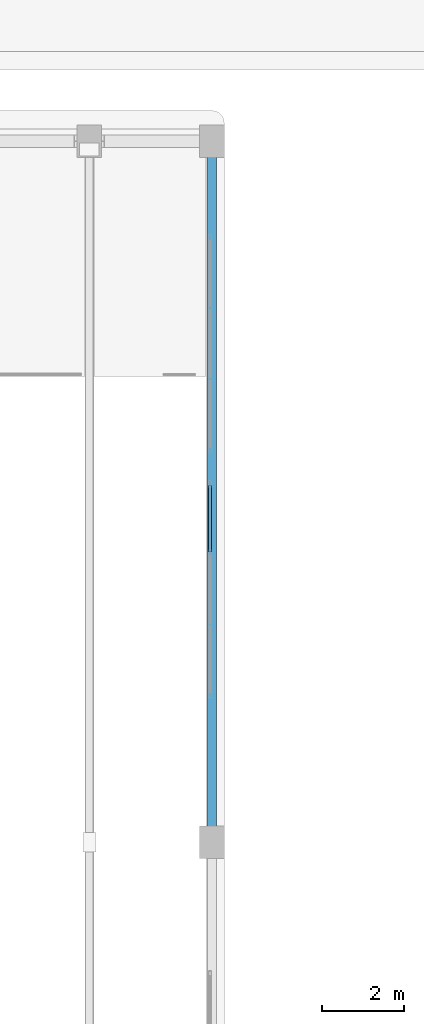
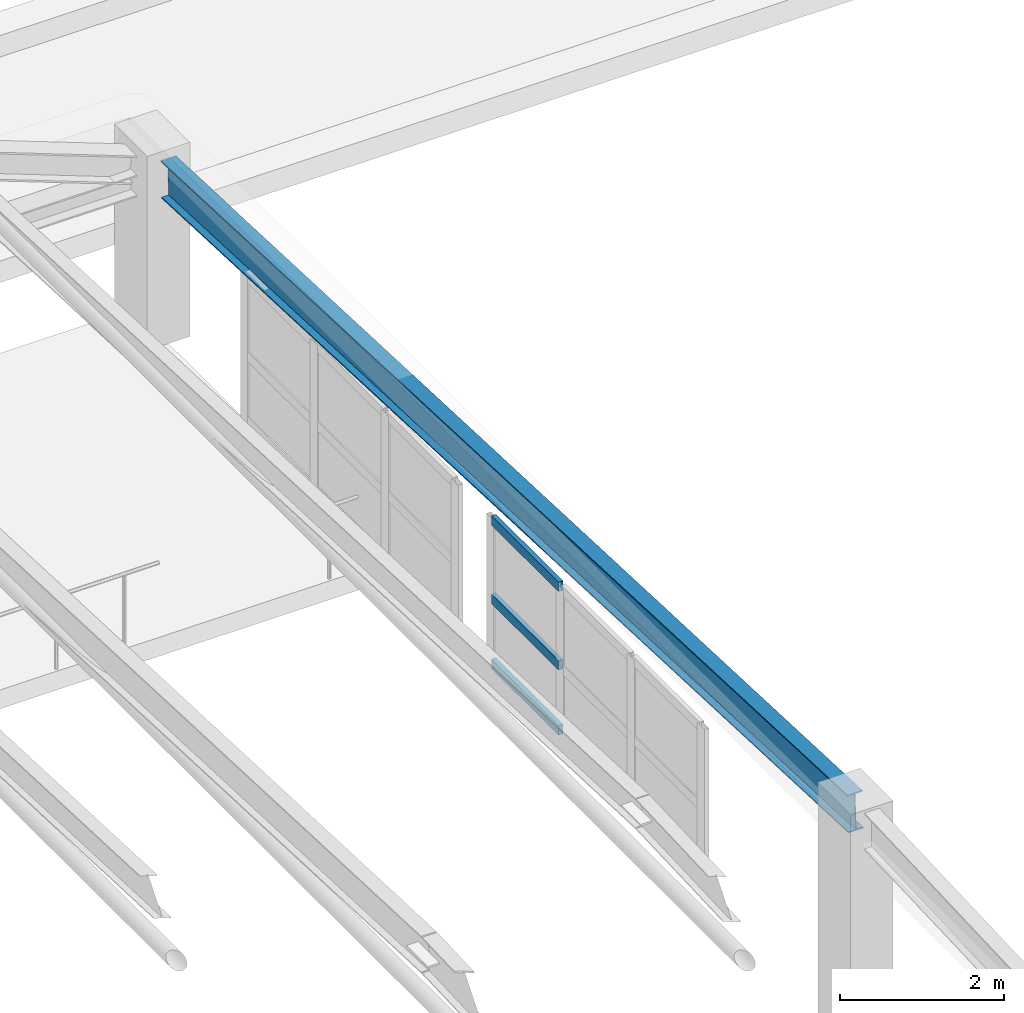
# One storey, part 34 of 128: 3 members, 1 beam, 1 element without a shape of its own.
"""IFC4 building model written with IfcOpenShell, lengths in metres."""

from ifc_helpers import new_model, si_unit, direction, frame, origin, origin_2d, place, context, subcontext, project, spatial, hollow_rectangle, i_section, extrude, material, layer, layer_set, material_profile, profile_set, type_object, element, aggregate, save


model = new_model("IFC4")

# Units and contexts
model_context = context("Model", 3, precision=1e-05, world=origin(), true_north=direction((0.0, 1.0)))
body_context = subcontext(model_context, "Body", "Model", "MODEL_VIEW")
ifc_project = project(units=[si_unit("LENGTHUNIT", "METRE"), si_unit("AREAUNIT", "SQUARE_METRE"), si_unit("VOLUMEUNIT", "CUBIC_METRE"), si_unit("PLANEANGLEUNIT", "RADIAN"), si_unit("MASSUNIT", "GRAM", prefix="KILO")], contexts=[model_context])

# Site, building, storey
site_placement = place(None, origin())
site = spatial("IfcSite", under=ifc_project, at=site_placement, CompositionType="ELEMENT")
building_placement = place(site_placement, origin())
building = spatial("IfcBuilding", under=site, at=building_placement, Name="Keldmere Railside Commons", CompositionType="ELEMENT")
storey_placement = place(building_placement, frame((0.0, 0.0, 4.159912109375)))
storey = spatial("IfcBuildingStorey", under=building, at=storey_placement, Name="L01", CompositionType="ELEMENT", Elevation=4.159912109375)

# Curtain wall, members
ifc_material_1 = material(Name="Thermally Broken Aluminium", Category="aluminium")
ifc_layer = layer(ifc_material_1, 0.159912109375, Name="Community Hall Side Clerestory CW 5200x2200")
ifc_layer_set = layer_set([ifc_layer], Name="Thermally Broken Aluminium")
curtain_wall_type = type_object("IfcCurtainWallType", Name="Community Hall Side Clerestory CW 5200x2200", PredefinedType="NOTDEFINED", material=ifc_layer_set)
curtain_wall_placement = place(storey_placement, origin())
curtain_wall = element("IfcCurtainWall", 1, at=curtain_wall_placement, inside=storey, type_object=curtain_wall_type, Name="CW-06 CW-L01-208", PredefinedType="NOTDEFINED")
ifc_material_profile_1 = material_profile(ifc_material_1, hollow_rectangle(XDim=0.06494140625, YDim=0.139892578125, WallThickness=0.00390625, at=origin_2d()), Name="ALU-TRAN-65x140")
ifc_profile_set_1 = profile_set([ifc_material_profile_1], Name="Thermally Broken Aluminium")
member_type = type_object("IfcMemberType", Name="Civic Tall Curtain Wall Transom 65x140", PredefinedType="USERDEFINED", material=ifc_profile_set_1)
member_1_placement = place(storey_placement, frame((105.949951171875, 38.3349609375, 0.12255859375), z_axis=(0.0, -1.0, 0.0), x_axis=(1.0, 0.0, 0.0)))
member_1 = element("IfcMember", 2, at=member_1_placement, type_object=member_type, Name="CW-06 transom 1.1", ObjectType="TRANSOM", PredefinedType="USERDEFINED", context=body_context, shape_type="SweptSolid", body=[
    extrude(hollow_rectangle(XDim=0.06494140625, YDim=0.139892578125, WallThickness=0.00390625, at=origin_2d()), origin(), (0.0, 0.0, 1.0), 1.6357421875),
])
member_2_placement = place(storey_placement, frame((105.949951171875, 38.3349609375, 1.090087890625), z_axis=(0.0, -1.0, 0.0), x_axis=(1.0, 0.0, 0.0)))
member_2 = element("IfcMember", 3, at=member_2_placement, type_object=member_type, Name="CW-06 transom 1.2", ObjectType="TRANSOM", PredefinedType="USERDEFINED", context=body_context, shape_type="SweptSolid", body=[
    extrude(hollow_rectangle(XDim=0.06494140625, YDim=0.139892578125, WallThickness=0.00390625, at=origin_2d()), origin(), (0.0, 0.0, 1.0), 1.6357421875),
])
member_3_placement = place(storey_placement, frame((105.949951171875, 38.3349609375, 2.257568359375), z_axis=(0.0, -1.0, 0.0), x_axis=(1.0, 0.0, 0.0)))
member_3 = element("IfcMember", 4, at=member_3_placement, type_object=member_type, Name="CW-06 transom 1.3", ObjectType="TRANSOM", PredefinedType="USERDEFINED", context=body_context, shape_type="SweptSolid", body=[
    extrude(hollow_rectangle(XDim=0.06494140625, YDim=0.139892578125, WallThickness=0.00390625, at=origin_2d()), origin(), (0.0, 0.0, 1.0), 1.6357421875),
])
aggregate(curtain_wall, [member_1, member_2, member_3])

# Beam
ifc_material_2 = material(Name="Steel F-36 (S355)", Category="steel")
ifc_material_profile_2 = material_profile(ifc_material_2, i_section(OverallWidth=0.2099609375, OverallDepth=0.550048828125, WebThickness=0.010986328125, FlangeThickness=0.01708984375, at=origin_2d()), Name="IPE-550")
ifc_profile_set_2 = profile_set([ifc_material_profile_2], Name="Steel F-36 (S355)")
beam_type = type_object("IfcBeamType", Name="Folded-Plate Steel Valley Rib IPE550", PredefinedType="BEAM", material=ifc_profile_set_2)
beam_placement = place(storey_placement, frame((106.0, 29.60009765625, 3.190185546875), z_axis=(0.0, 0.999102317345, -0.042362241155), x_axis=(-1.0, 0.0, 0.0)))
element("IfcBeam", 5, at=beam_placement, inside=storey, type_object=beam_type, Name="FPV-1 BM-L01-2656", PredefinedType="BEAM", context=body_context, shape_type="SweptSolid", body=[
    extrude(i_section(OverallWidth=0.2099609375, OverallDepth=0.550048828125, WebThickness=0.010986328125, FlangeThickness=0.01708984375, at=origin_2d()), origin(), (0.0, 0.0, 1.0), 16.76513671875),
])

save(model, "model.ifc")
